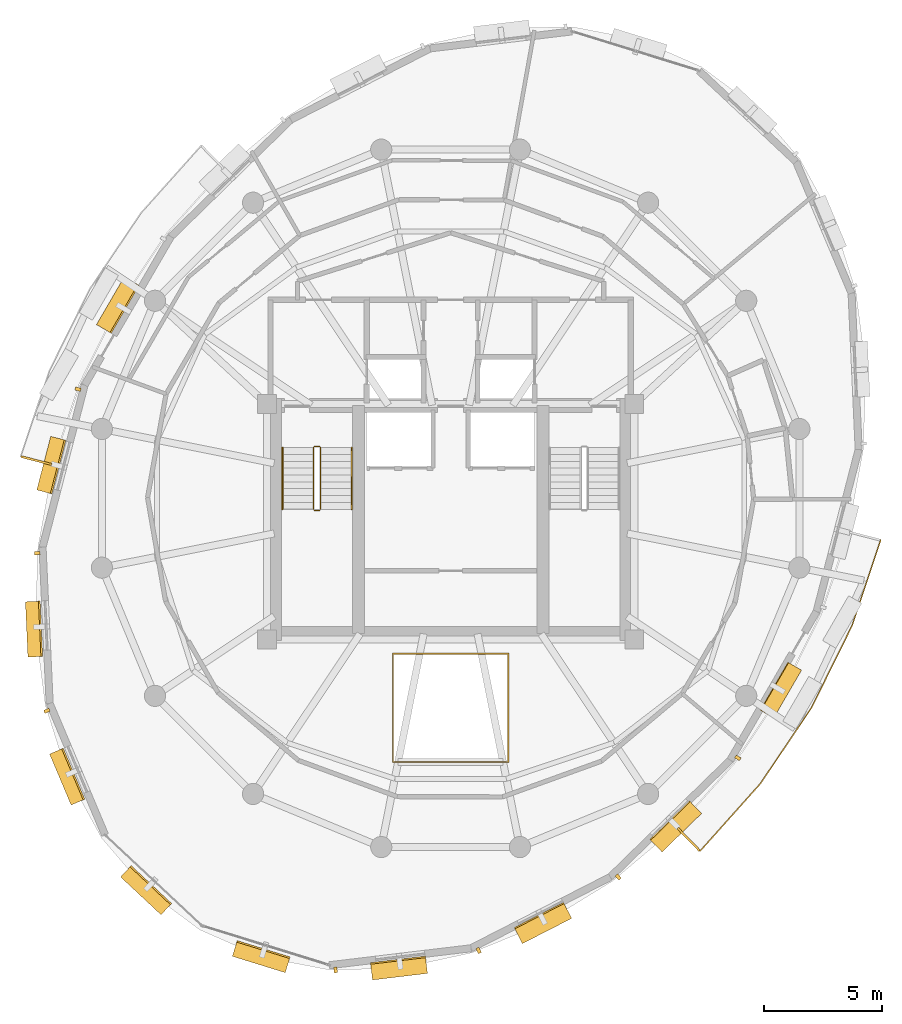
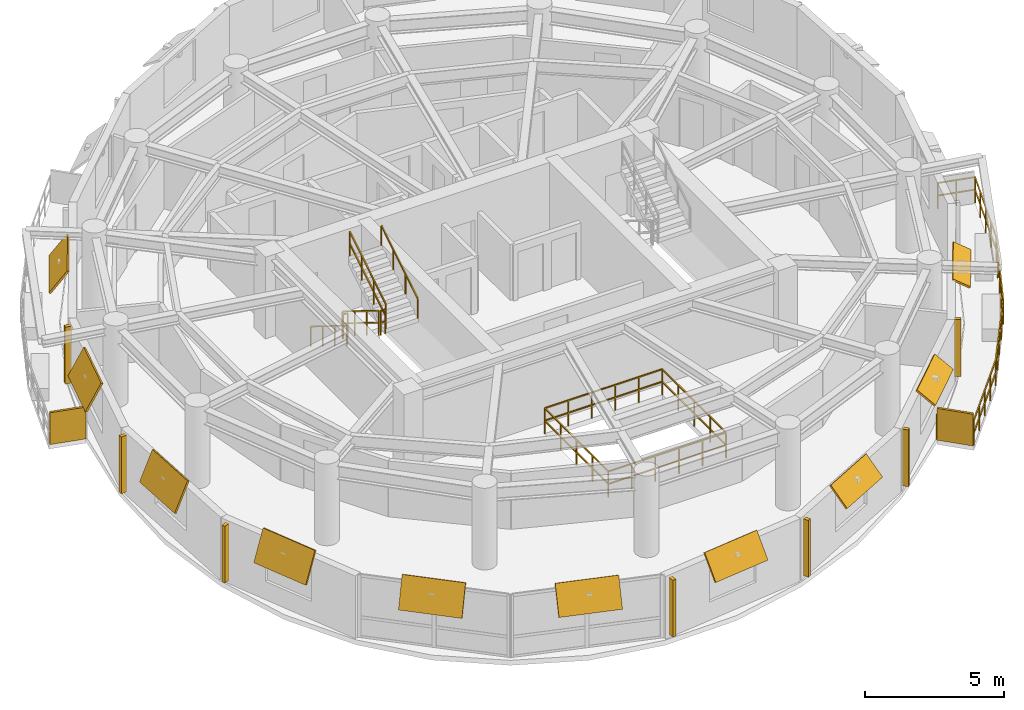
# One storey, part 10 of 11: 19 shading devices, 8 railings.
"""IFC4 building model written with IfcOpenShell, lengths in metres."""

from ifc_helpers import new_model, si_unit, direction, frame, origin, origin_2d, place, context, subcontext, project, spatial, rectangle, extrude, material, layer, layer_set, type_object, element, save


model = new_model("IFC4")

# Units and contexts
model_context = context("Model", 3, precision=1e-05, world=origin(), true_north=direction((0.0, 1.0)))
body_context = subcontext(model_context, "Body", "Model", "MODEL_VIEW")
ifc_project = project(units=[si_unit("LENGTHUNIT", "METRE"), si_unit("AREAUNIT", "SQUARE_METRE"), si_unit("VOLUMEUNIT", "CUBIC_METRE"), si_unit("PLANEANGLEUNIT", "RADIAN"), si_unit("MASSUNIT", "GRAM", prefix="KILO"), si_unit("THERMODYNAMICTEMPERATUREUNIT", "KELVIN"), si_unit("POWERUNIT", "WATT")], contexts=[model_context])

# Site, building, storey
site_placement = place(None, origin())
site = spatial("IfcSite", under=ifc_project, at=site_placement, CompositionType="ELEMENT")
building_placement = place(site_placement, origin())
building = spatial("IfcBuilding", under=site, at=building_placement, Name="Ocrelia Relay Tower", CompositionType="ELEMENT")
storey_placement = place(building_placement, frame((0.0, 0.0, 277.199951171875)))
storey = spatial("IfcBuildingStorey", under=building, at=storey_placement, Name="L69", CompositionType="ELEMENT", Elevation=277.199951171875)

# Railings
ifc_material_1 = material(Name="Steel S355 balustrade", Category="steel")
railing_type_1 = type_object("IfcRailingType", Name="RL-EXT-GUARD-1150", PredefinedType="GUARDRAIL", material=ifc_material_1)
railing_1_placement = place(storey_placement, frame((50.915771484375, 24.569091796875, 0.0)))
element("IfcRailing", 1, at=railing_1_placement, inside=storey, type_object=railing_type_1, Name="L69 Loggia Balcony Guard Rail B2", PredefinedType="GUARDRAIL", context=body_context, shape_type="SweptSolid", body=[
    extrude(rectangle(XDim=0.048095703125, YDim=0.048095703125, at=origin_2d()), frame((0.0, 0.0, 1.1259765625), z_axis=(0.968322440393, -0.249703126594, 0.0), x_axis=(0.249703126594, 0.968322440393, 0.0)), (0.0, 0.0, 1.0), 1.393310546875),
    extrude(rectangle(XDim=0.048095703125, YDim=0.048095703125, at=origin_2d()), frame((0.0, 0.0, 0.574951171875), z_axis=(0.968322440393, -0.249703126594, 0.0), x_axis=(0.249703126594, 0.968322440393, 0.0)), (0.0, 0.0, 1.0), 1.393310546875),
    extrude(rectangle(XDim=0.048095703125, YDim=0.048095703125, at=origin_2d()), frame((1.34912109375, -0.347900390625, 1.1259765625), z_axis=(-0.317371446029, -0.948301305095, 0.0), x_axis=(0.948301305095, -0.317371446029, 0.0)), (0.0, 0.0, 1.0), 1.9208984375),
    extrude(rectangle(XDim=0.048095703125, YDim=0.048095703125, at=origin_2d()), frame((1.34912109375, -0.347900390625, 0.574951171875), z_axis=(-0.317371446029, -0.948301305095, 0.0), x_axis=(0.948301305095, -0.317371446029, 0.0)), (0.0, 0.0, 1.0), 1.9208984375),
    extrude(rectangle(XDim=0.048095703125, YDim=0.048095703125, at=origin_2d()), frame((0.739501953125, -2.16943359375, 1.1259765625), z_axis=(-0.317524005867, -0.948250233693, 0.0), x_axis=(0.948250233693, -0.317524005867, 0.0)), (0.0, 0.0, 1.0), 1.920654296875),
    extrude(rectangle(XDim=0.048095703125, YDim=0.048095703125, at=origin_2d()), frame((0.739501953125, -2.16943359375, 0.574951171875), z_axis=(-0.317524005867, -0.948250233693, 0.0), x_axis=(0.948250233693, -0.317524005867, 0.0)), (0.0, 0.0, 1.0), 1.920654296875),
    extrude(rectangle(XDim=0.048095703125, YDim=0.048095703125, at=origin_2d()), frame((0.129638671875, -3.99072265625, 1.1259765625), z_axis=(-0.443083039554, -0.896480574279, 0.0), x_axis=(0.896480574279, -0.443083039554, 0.0)), (0.0, 0.0, 1.0), 3.8818359375),
    extrude(rectangle(XDim=0.048095703125, YDim=0.048095703125, at=origin_2d()), frame((0.129638671875, -3.99072265625, 0.574951171875), z_axis=(-0.443083039554, -0.896480574279, 0.0), x_axis=(0.896480574279, -0.443083039554, 0.0)), (0.0, 0.0, 1.0), 3.8818359375),
    extrude(rectangle(XDim=0.048095703125, YDim=0.048095703125, at=origin_2d()), frame((-1.59033203125, -7.470703125, 1.1259765625), z_axis=(-0.559147700013, -0.829068060879, 0.0), x_axis=(0.829068060879, -0.559147700013, 0.0)), (0.0, 0.0, 1.0), 3.882080078125),
    extrude(rectangle(XDim=0.048095703125, YDim=0.048095703125, at=origin_2d()), frame((-1.59033203125, -7.470703125, 0.574951171875), z_axis=(-0.559147700013, -0.829068060879, 0.0), x_axis=(0.829068060879, -0.559147700013, 0.0)), (0.0, 0.0, 1.0), 3.882080078125),
    extrude(rectangle(XDim=0.048095703125, YDim=0.048095703125, at=origin_2d()), frame((-3.760986328125, -10.689208984375, 1.1259765625), z_axis=(-0.666333991015, -0.745653413067, 0.0), x_axis=(0.745653413067, -0.666333991015, 0.0)), (0.0, 0.0, 1.0), 1.920654296875),
    extrude(rectangle(XDim=0.048095703125, YDim=0.048095703125, at=origin_2d()), frame((-3.760986328125, -10.689208984375, 0.574951171875), z_axis=(-0.666333991015, -0.745653413067, 0.0), x_axis=(0.745653413067, -0.666333991015, 0.0)), (0.0, 0.0, 1.0), 1.920654296875),
    extrude(rectangle(XDim=0.048095703125, YDim=0.048095703125, at=origin_2d()), frame((-5.040771484375, -12.121337890625, 1.1259765625), z_axis=(-0.666467814497, -0.745533803552, 0.0), x_axis=(0.745533803552, -0.666467814497, 0.0)), (0.0, 0.0, 1.0), 1.920654296875),
    extrude(rectangle(XDim=0.048095703125, YDim=0.048095703125, at=origin_2d()), frame((-5.040771484375, -12.121337890625, 0.574951171875), z_axis=(-0.666467814497, -0.745533803552, 0.0), x_axis=(0.745533803552, -0.666467814497, 0.0)), (0.0, 0.0, 1.0), 1.920654296875),
    extrude(rectangle(XDim=0.048095703125, YDim=0.048095703125, at=origin_2d()), frame((-6.32080078125, -13.55322265625, 1.1259765625), z_axis=(-0.696783108823, 0.717281882706, 0.0), x_axis=(-0.717281882706, -0.696783108823, 0.0)), (0.0, 0.0, 1.0), 1.3935546875),
    extrude(rectangle(XDim=0.048095703125, YDim=0.048095703125, at=origin_2d()), frame((-6.32080078125, -13.55322265625, 0.574951171875), z_axis=(-0.696783108823, 0.717281882706, 0.0), x_axis=(-0.717281882706, -0.696783108823, 0.0)), (0.0, 0.0, 1.0), 1.3935546875),
    extrude(rectangle(XDim=0.0419921875, YDim=0.0419921875, at=origin_2d()), origin(), (0.0, 0.0, 1.0), 1.101806640625),
    extrude(rectangle(XDim=0.0419921875, YDim=0.0419921875, at=origin_2d()), frame((0.674560546875, -0.173828125, 0.0)), (0.0, 0.0, 1.0), 1.101806640625),
    extrude(rectangle(XDim=0.0419921875, YDim=0.0419921875, at=origin_2d()), frame((1.34912109375, -0.347900390625, 0.0)), (0.0, 0.0, 1.0), 1.101806640625),
    extrude(rectangle(XDim=0.0419921875, YDim=0.0419921875, at=origin_2d()), frame((1.04443359375, -1.2587890625, 0.0)), (0.0, 0.0, 1.0), 1.101806640625),
    extrude(rectangle(XDim=0.0419921875, YDim=0.0419921875, at=origin_2d()), frame((0.739501953125, -2.16943359375, 0.0)), (0.0, 0.0, 1.0), 1.101806640625),
    extrude(rectangle(XDim=0.0419921875, YDim=0.0419921875, at=origin_2d()), frame((0.4345703125, -3.080078125, 0.0)), (0.0, 0.0, 1.0), 1.101806640625),
    extrude(rectangle(XDim=0.0419921875, YDim=0.0419921875, at=origin_2d()), frame((0.129638671875, -3.99072265625, 0.0)), (0.0, 0.0, 1.0), 1.101806640625),
    extrude(rectangle(XDim=0.0419921875, YDim=0.0419921875, at=origin_2d()), frame((-0.30029296875, -4.86083984375, 0.0)), (0.0, 0.0, 1.0), 1.101806640625),
    extrude(rectangle(XDim=0.0419921875, YDim=0.0419921875, at=origin_2d()), frame((-0.73046875, -5.730712890625, 0.0)), (0.0, 0.0, 1.0), 1.101806640625),
    extrude(rectangle(XDim=0.0419921875, YDim=0.0419921875, at=origin_2d()), frame((-1.160400390625, -6.6005859375, 0.0)), (0.0, 0.0, 1.0), 1.101806640625),
    extrude(rectangle(XDim=0.0419921875, YDim=0.0419921875, at=origin_2d()), frame((-1.59033203125, -7.470703125, 0.0)), (0.0, 0.0, 1.0), 1.101806640625),
    extrude(rectangle(XDim=0.0419921875, YDim=0.0419921875, at=origin_2d()), frame((-2.133056640625, -8.275390625, 0.0)), (0.0, 0.0, 1.0), 1.101806640625),
    extrude(rectangle(XDim=0.0419921875, YDim=0.0419921875, at=origin_2d()), frame((-2.67578125, -9.080078125, 0.0)), (0.0, 0.0, 1.0), 1.101806640625),
    extrude(rectangle(XDim=0.0419921875, YDim=0.0419921875, at=origin_2d()), frame((-3.21826171875, -9.884521484375, 0.0)), (0.0, 0.0, 1.0), 1.101806640625),
    extrude(rectangle(XDim=0.0419921875, YDim=0.0419921875, at=origin_2d()), frame((-3.760986328125, -10.689208984375, 0.0)), (0.0, 0.0, 1.0), 1.101806640625),
    extrude(rectangle(XDim=0.0419921875, YDim=0.0419921875, at=origin_2d()), frame((-4.40087890625, -11.4052734375, 0.0)), (0.0, 0.0, 1.0), 1.101806640625),
    extrude(rectangle(XDim=0.0419921875, YDim=0.0419921875, at=origin_2d()), frame((-5.040771484375, -12.121337890625, 0.0)), (0.0, 0.0, 1.0), 1.101806640625),
    extrude(rectangle(XDim=0.0419921875, YDim=0.0419921875, at=origin_2d()), frame((-5.6806640625, -12.83740234375, 0.0)), (0.0, 0.0, 1.0), 1.101806640625),
    extrude(rectangle(XDim=0.0419921875, YDim=0.0419921875, at=origin_2d()), frame((-6.32080078125, -13.55322265625, 0.0)), (0.0, 0.0, 1.0), 1.101806640625),
    extrude(rectangle(XDim=0.0419921875, YDim=0.0419921875, at=origin_2d()), frame((-6.80615234375, -13.053466796875, 0.0)), (0.0, 0.0, 1.0), 1.101806640625),
    extrude(rectangle(XDim=0.0419921875, YDim=0.0419921875, at=origin_2d()), frame((-7.291748046875, -12.5537109375, 0.0)), (0.0, 0.0, 1.0), 1.101806640625),
])
ifc_material_2 = material(Name="Steel S355 atrium balustrade", Category="steel")
railing_type_2 = type_object("IfcRailingType", Name="RL-INT-GUARD-115", PredefinedType="GUARDRAIL", material=ifc_material_2)
railing_2_placement = place(storey_placement, frame((31.550048828125, 14.800048828125, 0.0)))
element("IfcRailing", 2, at=railing_2_placement, inside=storey, type_object=railing_type_2, Name="L69 Multi-Zone Interior Atrium Guard", PredefinedType="GUARDRAIL", context=body_context, shape_type="SweptSolid", body=[
    extrude(rectangle(XDim=0.048095703125, YDim=0.048095703125, at=origin_2d()), frame((0.0, 0.0, 1.1259765625), z_axis=(1.0, 0.0, 0.0), x_axis=(0.0, 1.0, 0.0)), (0.0, 0.0, 1.0), 4.89990234375),
    extrude(rectangle(XDim=0.048095703125, YDim=0.048095703125, at=origin_2d()), frame((0.0, 0.0, 0.574951171875), z_axis=(1.0, 0.0, 0.0), x_axis=(0.0, 1.0, 0.0)), (0.0, 0.0, 1.0), 4.89990234375),
    extrude(rectangle(XDim=0.048095703125, YDim=0.048095703125, at=origin_2d()), frame((4.89990234375, 0.0, 1.1259765625), z_axis=(0.0, 1.0, 0.0), x_axis=(-1.0, 0.0, 0.0)), (0.0, 0.0, 1.0), 4.599853515625),
    extrude(rectangle(XDim=0.048095703125, YDim=0.048095703125, at=origin_2d()), frame((4.89990234375, 0.0, 0.574951171875), z_axis=(0.0, 1.0, 0.0), x_axis=(-1.0, 0.0, 0.0)), (0.0, 0.0, 1.0), 4.599853515625),
    extrude(rectangle(XDim=0.048095703125, YDim=0.048095703125, at=origin_2d()), frame((4.89990234375, 4.599853515625, 1.1259765625), z_axis=(-1.0, 0.0, 0.0), x_axis=(0.0, -1.0, 0.0)), (0.0, 0.0, 1.0), 4.89990234375),
    extrude(rectangle(XDim=0.048095703125, YDim=0.048095703125, at=origin_2d()), frame((4.89990234375, 4.599853515625, 0.574951171875), z_axis=(-1.0, 0.0, 0.0), x_axis=(0.0, -1.0, 0.0)), (0.0, 0.0, 1.0), 4.89990234375),
    extrude(rectangle(XDim=0.048095703125, YDim=0.048095703125, at=origin_2d()), frame((0.0, 4.599853515625, 1.1259765625), z_axis=(0.0, -1.0, 0.0), x_axis=(1.0, 0.0, 0.0)), (0.0, 0.0, 1.0), 4.599853515625),
    extrude(rectangle(XDim=0.048095703125, YDim=0.048095703125, at=origin_2d()), frame((0.0, 4.599853515625, 0.574951171875), z_axis=(0.0, -1.0, 0.0), x_axis=(1.0, 0.0, 0.0)), (0.0, 0.0, 1.0), 4.599853515625),
    extrude(rectangle(XDim=0.0419921875, YDim=0.0419921875, at=origin_2d()), origin(), (0.0, 0.0, 1.0), 1.101806640625),
    extrude(rectangle(XDim=0.0419921875, YDim=0.0419921875, at=origin_2d()), frame((0.97998046875, 0.0, 0.0)), (0.0, 0.0, 1.0), 1.101806640625),
    extrude(rectangle(XDim=0.0419921875, YDim=0.0419921875, at=origin_2d()), frame((1.9599609375, 0.0, 0.0)), (0.0, 0.0, 1.0), 1.101806640625),
    extrude(rectangle(XDim=0.0419921875, YDim=0.0419921875, at=origin_2d()), frame((2.93994140625, 0.0, 0.0)), (0.0, 0.0, 1.0), 1.101806640625),
    extrude(rectangle(XDim=0.0419921875, YDim=0.0419921875, at=origin_2d()), frame((3.919921875, 0.0, 0.0)), (0.0, 0.0, 1.0), 1.101806640625),
    extrude(rectangle(XDim=0.0419921875, YDim=0.0419921875, at=origin_2d()), frame((4.89990234375, 0.0, 0.0)), (0.0, 0.0, 1.0), 1.101806640625),
    extrude(rectangle(XDim=0.0419921875, YDim=0.0419921875, at=origin_2d()), frame((4.89990234375, 1.14990234375, 0.0)), (0.0, 0.0, 1.0), 1.101806640625),
    extrude(rectangle(XDim=0.0419921875, YDim=0.0419921875, at=origin_2d()), frame((4.89990234375, 2.2998046875, 0.0)), (0.0, 0.0, 1.0), 1.101806640625),
    extrude(rectangle(XDim=0.0419921875, YDim=0.0419921875, at=origin_2d()), frame((4.89990234375, 3.449951171875, 0.0)), (0.0, 0.0, 1.0), 1.101806640625),
    extrude(rectangle(XDim=0.0419921875, YDim=0.0419921875, at=origin_2d()), frame((4.89990234375, 4.599853515625, 0.0)), (0.0, 0.0, 1.0), 1.101806640625),
    extrude(rectangle(XDim=0.0419921875, YDim=0.0419921875, at=origin_2d()), frame((3.919921875, 4.599853515625, 0.0)), (0.0, 0.0, 1.0), 1.101806640625),
    extrude(rectangle(XDim=0.0419921875, YDim=0.0419921875, at=origin_2d()), frame((2.93994140625, 4.599853515625, 0.0)), (0.0, 0.0, 1.0), 1.101806640625),
    extrude(rectangle(XDim=0.0419921875, YDim=0.0419921875, at=origin_2d()), frame((1.9599609375, 4.599853515625, 0.0)), (0.0, 0.0, 1.0), 1.101806640625),
    extrude(rectangle(XDim=0.0419921875, YDim=0.0419921875, at=origin_2d()), frame((0.97998046875, 4.599853515625, 0.0)), (0.0, 0.0, 1.0), 1.101806640625),
    extrude(rectangle(XDim=0.0419921875, YDim=0.0419921875, at=origin_2d()), frame((0.0, 4.599853515625, 0.0)), (0.0, 0.0, 1.0), 1.101806640625),
    extrude(rectangle(XDim=0.0419921875, YDim=0.0419921875, at=origin_2d()), frame((0.0, 3.449951171875, 0.0)), (0.0, 0.0, 1.0), 1.101806640625),
    extrude(rectangle(XDim=0.0419921875, YDim=0.0419921875, at=origin_2d()), frame((0.0, 2.2998046875, 0.0)), (0.0, 0.0, 1.0), 1.101806640625),
    extrude(rectangle(XDim=0.0419921875, YDim=0.0419921875, at=origin_2d()), frame((0.0, 1.14990234375, 0.0)), (0.0, 0.0, 1.0), 1.101806640625),
])
railing_type_3 = type_object("IfcRailingType", Name="RL-STAIR-GUARD", PredefinedType="GUARDRAIL", material=ifc_material_1)
railing_3_placement = place(storey_placement, frame((28.179931640625, 28.14990234375, 0.179931640625)))
element("IfcRailing", 3, at=railing_3_placement, inside=storey, type_object=railing_type_3, Name="L69 ST1 stair guard 1", PredefinedType="GUARDRAIL", context=body_context, shape_type="SweptSolid", body=[
    extrude(rectangle(XDim=0.048095703125, YDim=0.048095703125, at=origin_2d()), frame((0.0, 0.0, 1.076171875), z_axis=(0.0, -0.849610693518, 0.52741034258), x_axis=(1.0, 0.0, 0.0)), (0.0, 0.0, 1.0), 3.07177734375),
    extrude(rectangle(XDim=0.048095703125, YDim=0.048095703125, at=origin_2d()), frame((0.0, 0.0, 0.550048828125), z_axis=(0.0, -0.849610693518, 0.52741034258), x_axis=(1.0, 0.0, 0.0)), (0.0, 0.0, 1.0), 3.07177734375),
    extrude(rectangle(XDim=0.0419921875, YDim=0.0419921875, at=origin_2d()), origin(), (0.0, 0.0, 1.0), 1.052001953125),
    extrude(rectangle(XDim=0.0419921875, YDim=0.0419921875, at=origin_2d()), frame((0.0, -0.869873046875, 0.5400390625)), (0.0, 0.0, 1.0), 1.052001953125),
    extrude(rectangle(XDim=0.0419921875, YDim=0.0419921875, at=origin_2d()), frame((0.0, -1.739990234375, 1.080078125)), (0.0, 0.0, 1.0), 1.052001953125),
    extrude(rectangle(XDim=0.0419921875, YDim=0.0419921875, at=origin_2d()), frame((0.0, -2.60986328125, 1.6201171875)), (0.0, 0.0, 1.0), 1.052001953125),
])
railing_4_placement = place(storey_placement, frame((28.22998046875, 25.489990234375, 1.800048828125)))
element("IfcRailing", 4, at=railing_4_placement, inside=storey, type_object=railing_type_3, Name="L69 ST1 stair guard 2", PredefinedType="GUARDRAIL", context=body_context, shape_type="SweptSolid", body=[
    extrude(rectangle(XDim=0.048095703125, YDim=0.048095703125, at=origin_2d()), frame((0.0, 0.0, 1.076171875), z_axis=(1.0, 0.0, 0.0), x_axis=(0.0, 1.0, 0.0)), (0.0, 0.0, 1.0), 0.199951171875),
    extrude(rectangle(XDim=0.048095703125, YDim=0.048095703125, at=origin_2d()), frame((0.0, 0.0, 0.550048828125), z_axis=(1.0, 0.0, 0.0), x_axis=(0.0, 1.0, 0.0)), (0.0, 0.0, 1.0), 0.199951171875),
    extrude(rectangle(XDim=0.0419921875, YDim=0.0419921875, at=origin_2d()), origin(), (0.0, 0.0, 1.0), 1.052001953125),
    extrude(rectangle(XDim=0.0419921875, YDim=0.0419921875, at=origin_2d()), frame((0.199951171875, 0.0, 0.0)), (0.0, 0.0, 1.0), 1.052001953125),
])
railing_5_placement = place(storey_placement, frame((28.47998046875, 25.5400390625, 1.97998046875)))
element("IfcRailing", 5, at=railing_5_placement, inside=storey, type_object=railing_type_3, Name="L69 ST1 stair guard 3", PredefinedType="GUARDRAIL", context=body_context, shape_type="SweptSolid", body=[
    extrude(rectangle(XDim=0.048095703125, YDim=0.048095703125, at=origin_2d()), frame((0.0, 0.0, 1.076171875), z_axis=(0.0, 0.849610693518, 0.52741034258), x_axis=(-1.0, 0.0, 0.0)), (0.0, 0.0, 1.0), 3.07177734375),
    extrude(rectangle(XDim=0.048095703125, YDim=0.048095703125, at=origin_2d()), frame((0.0, 0.0, 0.550048828125), z_axis=(0.0, 0.849610693518, 0.52741034258), x_axis=(-1.0, 0.0, 0.0)), (0.0, 0.0, 1.0), 3.07177734375),
    extrude(rectangle(XDim=0.0419921875, YDim=0.0419921875, at=origin_2d()), origin(), (0.0, 0.0, 1.0), 1.052001953125),
    extrude(rectangle(XDim=0.0419921875, YDim=0.0419921875, at=origin_2d()), frame((0.0, 0.869873046875, 0.5400390625)), (0.0, 0.0, 1.0), 1.052001953125),
    extrude(rectangle(XDim=0.0419921875, YDim=0.0419921875, at=origin_2d()), frame((0.0, 1.739990234375, 1.080078125)), (0.0, 0.0, 1.0), 1.052001953125),
    extrude(rectangle(XDim=0.0419921875, YDim=0.0419921875, at=origin_2d()), frame((0.0, 2.60986328125, 1.6201171875)), (0.0, 0.0, 1.0), 1.052001953125),
])
railing_6_placement = place(storey_placement, frame((28.22998046875, 28.199951171875, 0.0)))
element("IfcRailing", 6, at=railing_6_placement, inside=storey, type_object=railing_type_3, Name="L69 ST1 stair guard 4", PredefinedType="GUARDRAIL", context=body_context, shape_type="SweptSolid", body=[
    extrude(rectangle(XDim=0.048095703125, YDim=0.048095703125, at=origin_2d()), frame((0.0, 0.0, 1.076171875), z_axis=(1.0, 0.0, 0.0), x_axis=(0.0, 1.0, 0.0)), (0.0, 0.0, 1.0), 0.199951171875),
    extrude(rectangle(XDim=0.048095703125, YDim=0.048095703125, at=origin_2d()), frame((0.0, 0.0, 0.550048828125), z_axis=(1.0, 0.0, 0.0), x_axis=(0.0, 1.0, 0.0)), (0.0, 0.0, 1.0), 0.199951171875),
    extrude(rectangle(XDim=0.0419921875, YDim=0.0419921875, at=origin_2d()), origin(), (0.0, 0.0, 1.0), 1.052001953125),
    extrude(rectangle(XDim=0.0419921875, YDim=0.0419921875, at=origin_2d()), frame((0.199951171875, 0.0, 0.0)), (0.0, 0.0, 1.0), 1.052001953125),
])
ifc_material_3 = material(Name="Steel S355 tubular handrail", Category="steel")
railing_type_4 = type_object("IfcRailingType", Name="RL-STAIR-HAND", PredefinedType="HANDRAIL", material=ifc_material_3)
railing_7_placement = place(storey_placement, frame((26.860107421875, 28.14990234375, 0.179931640625)))
element("IfcRailing", 7, at=railing_7_placement, inside=storey, type_object=railing_type_4, Name="L69 ST1 stair handrail 1", PredefinedType="HANDRAIL", context=body_context, shape_type="SweptSolid", body=[
    extrude(rectangle(XDim=0.048095703125, YDim=0.048095703125, at=origin_2d()), frame((0.0, 0.0, 0.8759765625), z_axis=(0.0, -0.849610693518, 0.52741034258), x_axis=(1.0, 0.0, 0.0)), (0.0, 0.0, 1.0), 3.07177734375),
    extrude(rectangle(XDim=0.0419921875, YDim=0.0419921875, at=origin_2d()), origin(), (0.0, 0.0, 1.0), 0.851806640625),
    extrude(rectangle(XDim=0.0419921875, YDim=0.0419921875, at=origin_2d()), frame((0.0, -0.869873046875, 0.5400390625)), (0.0, 0.0, 1.0), 0.851806640625),
    extrude(rectangle(XDim=0.0419921875, YDim=0.0419921875, at=origin_2d()), frame((0.0, -1.739990234375, 1.080078125)), (0.0, 0.0, 1.0), 0.851806640625),
    extrude(rectangle(XDim=0.0419921875, YDim=0.0419921875, at=origin_2d()), frame((0.0, -2.60986328125, 1.6201171875)), (0.0, 0.0, 1.0), 0.851806640625),
])
railing_8_placement = place(storey_placement, frame((29.800048828125, 25.5400390625, 1.97998046875)))
element("IfcRailing", 8, at=railing_8_placement, inside=storey, type_object=railing_type_4, Name="L69 ST1 stair handrail 2", PredefinedType="HANDRAIL", context=body_context, shape_type="SweptSolid", body=[
    extrude(rectangle(XDim=0.048095703125, YDim=0.048095703125, at=origin_2d()), frame((0.0, 0.0, 0.8759765625), z_axis=(0.0, 0.849610693518, 0.52741034258), x_axis=(-1.0, 0.0, 0.0)), (0.0, 0.0, 1.0), 3.07177734375),
    extrude(rectangle(XDim=0.0419921875, YDim=0.0419921875, at=origin_2d()), origin(), (0.0, 0.0, 1.0), 0.851806640625),
    extrude(rectangle(XDim=0.0419921875, YDim=0.0419921875, at=origin_2d()), frame((0.0, 0.869873046875, 0.5400390625)), (0.0, 0.0, 1.0), 0.851806640625),
    extrude(rectangle(XDim=0.0419921875, YDim=0.0419921875, at=origin_2d()), frame((0.0, 1.739990234375, 1.080078125)), (0.0, 0.0, 1.0), 0.851806640625),
    extrude(rectangle(XDim=0.0419921875, YDim=0.0419921875, at=origin_2d()), frame((0.0, 2.60986328125, 1.6201171875)), (0.0, 0.0, 1.0), 0.851806640625),
])

# Shading devices
ifc_material_4 = material(Name="Perforated oxide terracotta solar screen", Category="masonry")
ifc_layer_1 = layer(ifc_material_4, 0.090087890625, Name="Perforated oxide terracotta solar screen")
ifc_layer_set_1 = layer_set([ifc_layer_1], Name="Perforated oxide terracotta solar screen")
shading_device_type_1 = type_object("IfcShadingDeviceType", Name="SH-BALC-SCREEN", PredefinedType="USERDEFINED", material=ifc_layer_set_1)
for number, where, z_axis, x_axis, name in (
    (9, (16.40966796875, 27.604736328125, 0.0), (0.0, 0.0, 1.0), (-0.968295804364, 0.249806395536, 0.0), "L69 Balcony Perforated Terracotta Screen B1-2"),
    (10, (44.109619140625, 11.515625, 0.0), (0.0, 0.0, 1.0), (0.696769860149, -0.717294752517, 0.0), "L69 Balcony Perforated Terracotta Screen B2-1"),
):
    element("IfcShadingDevice", number, at=place(storey_placement, frame(where, z_axis=z_axis, x_axis=x_axis)), inside=storey, type_object=shading_device_type_1, Name=name, ObjectType="SCREEN", PredefinedType="USERDEFINED", context=body_context, shape_type="SweptSolid", body=[
        extrude(rectangle(XDim=1.340087890625, YDim=0.090087890625, at=origin_2d()), origin(), (0.0, 0.0, 1.0), 1.39990234375),
    ])
ifc_material_5 = material(Name="Extruded oxide terracotta vertical baguette", Category="masonry")
shading_device_type_2 = type_object("IfcShadingDeviceType", Name="SH-TERR-BAGUETTE", PredefinedType="USERDEFINED", material=ifc_material_5)
for number, where, z_axis, x_axis, name in (
    (11, (18.17529296875, 30.6357421875, 0.130126953125), (0.0, 0.0, 1.0), (-0.251378187557, -0.967888943433, 0.0), "L69 Oxide Terracotta Vertical Baguette 06"),
    (12, (16.45068359375, 23.67333984375, 0.130126953125), (0.0, 0.0, 1.0), (0.045430193971, -0.998967515726, 0.0), "L69 Oxide Terracotta Vertical Baguette 07"),
    (13, (16.8525390625, 16.976806640625, 0.130126953125), (0.0, 0.0, 1.0), (0.388610789327, -0.921402004783, 0.0), "L69 Oxide Terracotta Vertical Baguette 08"),
    (14, (29.11572265625, 5.970703125, 0.130126953125), (0.0, 0.0, 1.0), (0.992899379965, 0.118957224519, 0.0), "L69 Oxide Terracotta Vertical Baguette 11"),
    (15, (35.187255859375, 6.796142578125, 0.130126953125), (0.0, 0.0, 1.0), (0.890240071717, 0.455491618704, 0.0), "L69 Oxide Terracotta Vertical Baguette 12"),
    (16, (41.115234375, 9.920166015625, 0.130126953125), (0.0, 0.0, 1.0), (0.716196984998, 0.697898186471, 0.0), "L69 Oxide Terracotta Vertical Baguette 13"),
    (17, (46.1982421875, 14.97509765625, 0.130126953125), (0.0, 0.0, 1.0), (0.502258892697, 0.864717297564, 0.0), "L69 Oxide Terracotta Vertical Baguette 14"),
):
    element("IfcShadingDevice", number, at=place(storey_placement, frame(where, z_axis=z_axis, x_axis=x_axis)), inside=storey, type_object=shading_device_type_2, Name=name, ObjectType="BAGUETTE", PredefinedType="USERDEFINED", context=body_context, shape_type="SweptSolid", body=[
        extrude(rectangle(XDim=0.139892578125, YDim=0.239990234375, at=origin_2d()), origin(), (0.0, 0.0, 1.0), 2.5),
    ])
ifc_material_6 = material(Name="Extruded oxide terracotta fin", Category="masonry")
ifc_layer_2 = layer(ifc_material_6, 0.080078125, Name="Extruded oxide terracotta fin")
ifc_layer_set_2 = layer_set([ifc_layer_2], Name="Extruded oxide terracotta fin")
shading_device_type_3 = type_object("IfcShadingDeviceType", Name="SH-VISOR-FIN-DEEP", PredefinedType="USERDEFINED", material=ifc_layer_set_2)
shading_device_1_placement = place(storey_placement, frame((19.894287109375, 34.193115234375, 2.57763671875), z_axis=(-0.714426522134, 0.414964607428, 0.563381859003), x_axis=(-0.502258892697, -0.864717297564, 0.0)))
element("IfcShadingDevice", 18, at=shading_device_1_placement, inside=storey, type_object=shading_device_type_3, Name="L69 Canted Terracotta Sun-Visor Fin 05", ObjectType="FIN", PredefinedType="USERDEFINED", context=body_context, shape_type="SweptSolid", body=[
    extrude(rectangle(XDim=2.35009765625, YDim=1.178955078125, at=origin_2d()), origin(), (0.0, 0.0, 1.0), 0.080078125),
])
shading_device_2_placement = place(storey_placement, frame((17.076904296875, 27.4013671875, 2.581787109375), z_axis=(-0.861164931454, 0.223660039848, 0.456476885952), x_axis=(-0.251378187557, -0.967888943433, 0.0)))
element("IfcShadingDevice", 19, at=shading_device_2_placement, inside=storey, type_object=shading_device_type_3, Name="L69 Canted Terracotta Sun-Visor Fin 06", ObjectType="FIN", PredefinedType="USERDEFINED", context=body_context, shape_type="SweptSolid", body=[
    extrude(rectangle(XDim=2.35009765625, YDim=1.297119140625, at=origin_2d()), origin(), (0.0, 0.0, 1.0), 0.080078125),
])
shading_device_3_placement = place(storey_placement, frame((16.34423828125, 20.4462890625, 2.583740234375), z_axis=(-0.911106881422, -0.041434542865, 0.410082222589), x_axis=(0.045430193971, -0.998967515726, 0.0)))
element("IfcShadingDevice", 20, at=shading_device_3_placement, inside=storey, type_object=shading_device_type_3, Name="L69 Canted Terracotta Sun-Visor Fin 07", ObjectType="FIN", PredefinedType="USERDEFINED", context=body_context, shape_type="SweptSolid", body=[
    extrude(rectangle(XDim=2.35009765625, YDim=1.346923828125, at=origin_2d()), origin(), (0.0, 0.0, 1.0), 0.080078125),
])
shading_device_4_placement = place(storey_placement, frame((17.7490234375, 14.19384765625, 2.58349609375), z_axis=(-0.838839812792, -0.353789334163, 0.413740106235), x_axis=(0.388610789327, -0.921402004783, 0.0)))
element("IfcShadingDevice", 21, at=shading_device_4_placement, inside=storey, type_object=shading_device_type_3, Name="L69 Canted Terracotta Sun-Visor Fin 08", ObjectType="FIN", PredefinedType="USERDEFINED", context=body_context, shape_type="SweptSolid", body=[
    extrude(rectangle(XDim=2.35009765625, YDim=1.343017578125, at=origin_2d()), origin(), (0.0, 0.0, 1.0), 0.080078125),
])
shading_device_5_placement = place(storey_placement, frame((21.091552734375, 9.382568359375, 2.58203125), z_axis=(-0.610773736791, -0.65261622258, 0.44838321609), x_axis=(0.730125282793, -0.683313304003, 0.0)))
element("IfcShadingDevice", 22, at=shading_device_5_placement, inside=storey, type_object=shading_device_type_3, Name="L69 Canted Terracotta Sun-Visor Fin 09", ObjectType="FIN", PredefinedType="USERDEFINED", context=body_context, shape_type="SweptSolid", body=[
    extrude(rectangle(XDim=2.35009765625, YDim=1.305908203125, at=origin_2d()), origin(), (0.0, 0.0, 1.0), 0.080078125),
])
shading_device_6_placement = place(storey_placement, frame((25.96728515625, 6.568603515625, 2.579833984375), z_axis=(-0.255223660453, -0.824626333058, 0.504828974973), x_axis=(0.955291722737, -0.295664885419, 0.0)))
element("IfcShadingDevice", 23, at=shading_device_6_placement, inside=storey, type_object=shading_device_type_3, Name="L69 Canted Terracotta Sun-Visor Fin 10", ObjectType="FIN", PredefinedType="USERDEFINED", context=body_context, shape_type="SweptSolid", body=[
    extrude(rectangle(XDim=2.35009765625, YDim=1.2451171875, at=origin_2d()), origin(), (0.0, 0.0, 1.0), 0.080078125),
])
shading_device_7_placement = place(storey_placement, frame((31.802734375, 6.08203125, 2.576904296875), z_axis=(0.096796672797, -0.807932067942, 0.581271174002), x_axis=(0.992899379965, 0.118957224519, 0.0)))
element("IfcShadingDevice", 24, at=shading_device_7_placement, inside=storey, type_object=shading_device_type_3, Name="L69 Canted Terracotta Sun-Visor Fin 11", ObjectType="FIN", PredefinedType="USERDEFINED", context=body_context, shape_type="SweptSolid", body=[
    extrude(rectangle(XDim=2.35009765625, YDim=1.157958984375, at=origin_2d()), origin(), (0.0, 0.0, 1.0), 0.080078125),
])
ifc_layer_3 = layer(ifc_material_6, 0.080078125, Name="Extruded oxide terracotta fin")
ifc_layer_set_3 = layer_set([ifc_layer_3], Name="Extruded oxide terracotta fin")
shading_device_type_4 = type_object("IfcShadingDeviceType", Name="SH-VISOR-FIN-MED", PredefinedType="USERDEFINED", material=ifc_layer_set_3)
shading_device_8_placement = place(storey_placement, frame((37.908203125, 7.990234375, 2.572998046875), z_axis=(0.334693520925, -0.654145042053, 0.678287926333), x_axis=(0.890240071717, 0.455491618704, 0.0)))
element("IfcShadingDevice", 25, at=shading_device_8_placement, inside=storey, type_object=shading_device_type_4, Name="L69 Canted Terracotta Sun-Visor Fin 12", ObjectType="FIN", PredefinedType="USERDEFINED", context=body_context, shape_type="SweptSolid", body=[
    extrude(rectangle(XDim=2.35009765625, YDim=1.0380859375, at=origin_2d()), origin(), (0.0, 0.0, 1.0), 0.080078125),
])
shading_device_9_placement = place(storey_placement, frame((43.5439453125, 12.081787109375, 2.568603515625), z_axis=(0.430244699042, -0.441525658382, 0.78736560246), x_axis=(0.716196984998, 0.697898186471, 0.0)))
element("IfcShadingDevice", 26, at=shading_device_9_placement, inside=storey, type_object=shading_device_type_4, Name="L69 Canted Terracotta Sun-Visor Fin 13", ObjectType="FIN", PredefinedType="USERDEFINED", context=body_context, shape_type="SweptSolid", body=[
    extrude(rectangle(XDim=2.35009765625, YDim=0.884033203125, at=origin_2d()), origin(), (0.0, 0.0, 1.0), 0.080078125),
])
ifc_layer_4 = layer(ifc_material_6, 0.080078125, Name="Extruded oxide terracotta fin")
ifc_layer_set_4 = layer_set([ifc_layer_4], Name="Extruded oxide terracotta fin")
shading_device_type_5 = type_object("IfcShadingDeviceType", Name="SH-VISOR-FIN-SHAL", PredefinedType="USERDEFINED", material=ifc_layer_set_4)
shading_device_10_placement = place(storey_placement, frame((48.0068359375, 17.864013671875, 2.56494140625), z_axis=(0.409819385605, -0.238037832017, 0.8805600841), x_axis=(0.502258892697, 0.864717297564, 0.0)))
element("IfcShadingDevice", 27, at=shading_device_10_placement, inside=storey, type_object=shading_device_type_5, Name="L69 Canted Terracotta Sun-Visor Fin 14", ObjectType="FIN", PredefinedType="USERDEFINED", context=body_context, shape_type="SweptSolid", body=[
    extrude(rectangle(XDim=2.35009765625, YDim=0.720947265625, at=origin_2d()), origin(), (0.0, 0.0, 1.0), 0.080078125),
])

save(model, "model.ifc")
